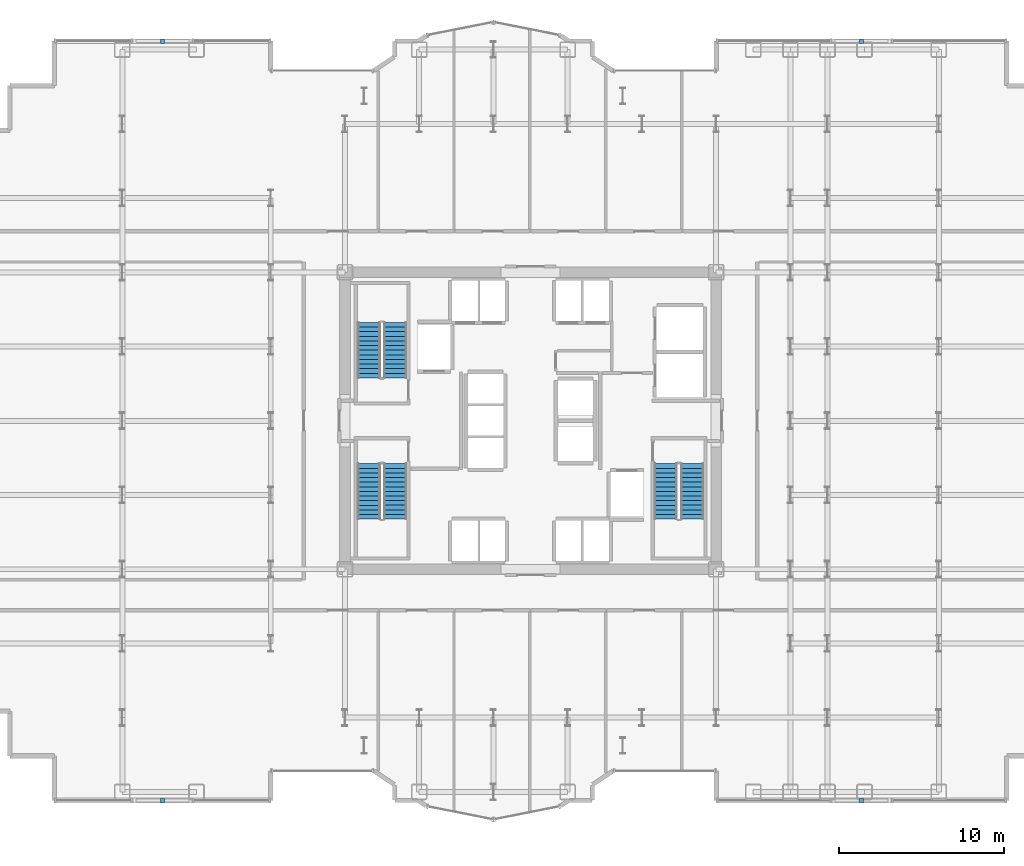
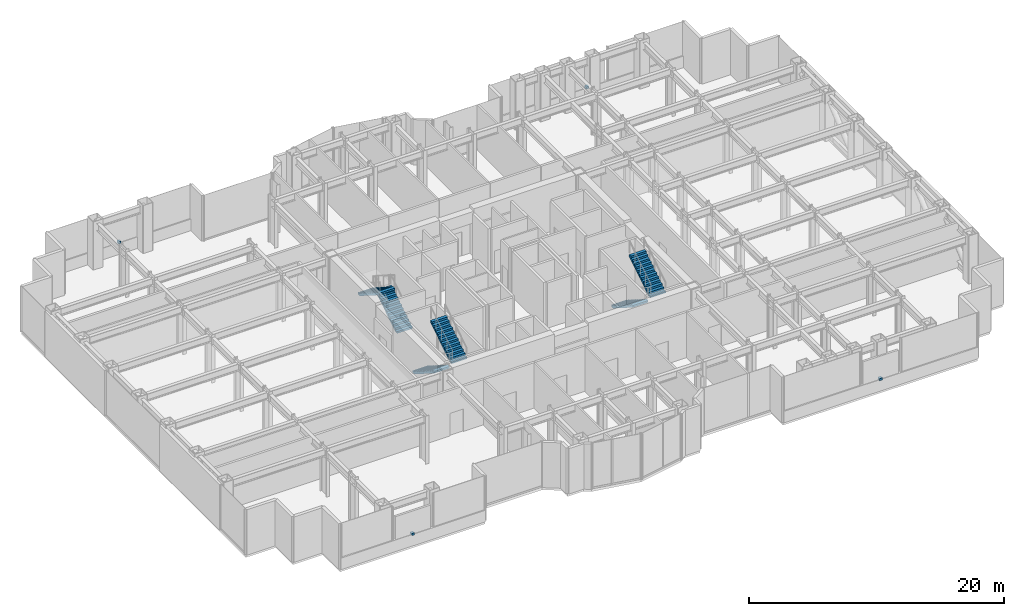
# One storey, part 26 of 30: 6 stair flights, 4 discrete accessories, 3 elements without a shape of their own.
"""IFC4 building model written with IfcOpenShell, lengths in metres."""

import ifcopenshell
import ifcopenshell.guid

model = None  # the IFC model being written
_history = None  # IfcOwnerHistory: only IFC2X3 demands one
_inside = {}  # id of a spatial element -> (the spatial element, [elements in it])
_under = {}  # id of a project, library or spatial element -> (it, [spatial elements below it])
_declared = {}  # id of a project -> (the project, [libraries it declares])
_typed = {}  # id of a type object -> (the type object, [elements of that type])
_made_of = {}  # id of a material, layer set ... -> (it, [elements and type objects made of it])


def new_model(schema):
    """Start an empty IFC model of exactly this schema.

    Asked for "IFC4X3", IfcOpenShell would pick the latest addendum, in which some entities
    have other attributes; the version numbers below select the first issue.
    IFC2X3 requires an IfcOwnerHistory on every rooted entity: one is made here for all.
    """
    global model, _history
    if schema == "IFC4X3":
        model = ifcopenshell.file(schema_version=(4, 3, 0, 0))
    else:
        model = ifcopenshell.file(schema=schema)
    _inside.clear()
    _under.clear()
    _declared.clear()
    _typed.clear()
    _made_of.clear()
    _history = None
    if model.schema == "IFC2X3":
        org = make("IfcOrganization", Name="unknown")
        user = make(
            "IfcPersonAndOrganization",
            ThePerson=make("IfcPerson", FamilyName="unknown"),
            TheOrganization=org,
        )
        app = make(
            "IfcApplication",
            ApplicationDeveloper=org,
            Version="unknown",
            ApplicationFullName="unknown",
            ApplicationIdentifier="unknown",
        )
        _history = make(
            "IfcOwnerHistory",
            OwningUser=user,
            OwningApplication=app,
            ChangeAction="ADDED",
            CreationDate=0,
        )
    return model


def make(cls, **values):
    """One entity of the class cls with the attributes given. An attribute that is None is left unset."""
    return model.create_entity(
        cls, **{name: value for name, value in values.items() if value is not None}
    )


def rooted(cls, **values):
    """An entity with a GlobalId (a new one), such as an element, a storey or a relation."""
    return make(cls, GlobalId=ifcopenshell.guid.new(), OwnerHistory=_history, **values)


def si_unit(unit_type, name, prefix=None):
    """IfcSIUnit, for example si_unit("LENGTHUNIT", "METRE", prefix="MILLI")."""
    return make("IfcSIUnit", UnitType=unit_type, Prefix=prefix, Name=name)


def assignment(units):
    """IfcUnitAssignment: the units of a project."""
    return None if units is None else make("IfcUnitAssignment", Units=units)


def point(xyz):
    """IfcCartesianPoint."""
    return None if xyz is None else make("IfcCartesianPoint", Coordinates=xyz)


def direction(xyz):
    """IfcDirection."""
    return None if xyz is None else make("IfcDirection", DirectionRatios=xyz)


def frame(location, z_axis=None, x_axis=None):
    """IfcAxis2Placement3D, a coordinate frame: its origin and axes. An axis left out is left unset."""
    return make(
        "IfcAxis2Placement3D",
        Location=point(location),
        Axis=direction(z_axis),
        RefDirection=direction(x_axis),
    )


def frame_2d(location, x_axis=None):
    """IfcAxis2Placement2D, a coordinate frame in the plane: its origin and x axis."""
    return make(
        "IfcAxis2Placement2D", Location=point(location), RefDirection=direction(x_axis)
    )


def origin():
    """The frame at (0, 0, 0) with its axes left unset."""
    return frame((0.0, 0.0, 0.0))


def origin_2d():
    """The frame at (0, 0) in the plane with its x axis left unset."""
    return frame_2d((0.0, 0.0))


def place(relative_to, where):
    """IfcLocalPlacement: puts the frame where relative to a parent placement (None: the world)."""
    return make(
        "IfcLocalPlacement", PlacementRelTo=relative_to, RelativePlacement=where
    )


def context(
    kind, dimensions, precision=None, world=None, true_north=None, identifier=None
):
    """IfcGeometricRepresentationContext, for example the 3D "Model" context."""
    return make(
        "IfcGeometricRepresentationContext",
        ContextIdentifier=identifier,
        ContextType=kind,
        CoordinateSpaceDimension=dimensions,
        Precision=precision,
        WorldCoordinateSystem=world,
        TrueNorth=true_north,
    )


def subcontext(parent, identifier, kind, view, scale=None):
    """IfcGeometricRepresentationSubContext, for example "Body" below "Model"."""
    return make(
        "IfcGeometricRepresentationSubContext",
        ContextIdentifier=identifier,
        ContextType=kind,
        ParentContext=parent,
        TargetScale=scale,
        TargetView=view,
    )


def project(units=None, contexts=None):
    """IfcProject with its units and contexts."""
    return rooted(
        "IfcProject",
        Name="project",
        RepresentationContexts=contexts,
        UnitsInContext=assignment(units),
    )


def spatial(cls, under=None, at=None, **own):
    """A site, building, storey or space (cls), placed at a placement, below another one or the project."""
    s = rooted(cls, ObjectPlacement=at, **own)
    if under is not None:
        _under.setdefault(under.id(), (under, []))[1].append(s)
    return s


def polyline(points):
    """IfcPolyline through the points."""
    return make("IfcPolyline", Points=[point(p) for p in points])


def profile(cls, at=None, kind="AREA", **sizes):
    """A parametric profile (cls). Its sizes go by their IFC names, for example OverallWidth=200.0."""
    return make(cls, ProfileType=kind, Position=at, **sizes)


def rectangle(**sizes):
    """IfcRectangleProfileDef."""
    return profile("IfcRectangleProfileDef", **sizes)


def outline(outer, holes=None, kind="AREA"):
    """IfcArbitraryClosedProfileDef: a profile drawn as a closed curve; with holes, ...WithVoids."""
    if holes is None:
        return make("IfcArbitraryClosedProfileDef", ProfileType=kind, OuterCurve=outer)
    return make(
        "IfcArbitraryProfileDefWithVoids",
        ProfileType=kind,
        OuterCurve=outer,
        InnerCurves=holes,
    )


def extrude(swept, where, along, depth):
    """IfcExtrudedAreaSolid: the profile swept, set in the frame where, extruded along a direction by depth."""
    return make(
        "IfcExtrudedAreaSolid",
        SweptArea=swept,
        Position=where,
        ExtrudedDirection=direction(along),
        Depth=depth,
    )


def shape(context_of_items, identifier, shape_type, items):
    """IfcShapeRepresentation: the items that make up one representation, for example the "Body"."""
    return make(
        "IfcShapeRepresentation",
        ContextOfItems=context_of_items,
        RepresentationIdentifier=identifier,
        RepresentationType=shape_type,
        Items=items,
    )


def source(mapping_origin, context_of_items, identifier, shape_type, items):
    """IfcRepresentationMap: a shape defined once, which mapped items show again and again."""
    return make(
        "IfcRepresentationMap",
        MappingOrigin=mapping_origin,
        MappedRepresentation=shape(context_of_items, identifier, shape_type, items),
    )


def transform(
    local_origin,
    x_axis=None,
    y_axis=None,
    z_axis=None,
    scale=None,
    scale2=None,
    scale3=None,
    uniform=True,
):
    """IfcCartesianTransformationOperator3D, or its non-uniform kind. x_axis, y_axis, z_axis: its Axis1, 2, 3."""
    if uniform:
        return make(
            "IfcCartesianTransformationOperator3D",
            Axis1=direction(x_axis),
            Axis2=direction(y_axis),
            LocalOrigin=point(local_origin),
            Scale=scale,
            Axis3=direction(z_axis),
        )
    return make(
        "IfcCartesianTransformationOperator3DnonUniform",
        Axis1=direction(x_axis),
        Axis2=direction(y_axis),
        LocalOrigin=point(local_origin),
        Scale=scale,
        Axis3=direction(z_axis),
        Scale2=scale2,
        Scale3=scale3,
    )


def mapped(mapping_source, mapping_target):
    """IfcMappedItem: shows the shape of a source again, moved by a transform."""
    return make(
        "IfcMappedItem", MappingSource=mapping_source, MappingTarget=mapping_target
    )


def material(Name=None, Category=None):
    """IfcMaterial."""
    return make("IfcMaterial", Name=Name, Category=Category)


def made_of(thing, what):
    """Note that an element or type object is made of a material, layer set ...; save() writes the relation."""
    if what is not None:
        _made_of.setdefault(what.id(), (what, []))[1].append(thing)
    return thing


def type_object(cls, material=None, **own):
    """A type object (cls), such as IfcWallType, which elements share."""
    return made_of(rooted(cls, **own), material)


def element(
    cls,
    number,
    at=None,
    inside=None,
    cuts=None,
    type_object=None,
    material=None,
    context=None,
    identifier="Body",
    shape_type=None,
    held_by="IfcProductDefinitionShape",
    body=None,
    shapes=None,
    **own,
):
    """One element of the class cls, such as IfcWall. Its Tag is "e" and its number.

    at: its placement. inside: the storey or other place that contains it. cuts: it is an
    opening in that element (IfcRelVoidsElement). A single representation is given by context,
    identifier, shape_type and body (its items); several are given by shapes. held_by: the class
    of the entity that holds the representations. save() writes the other relations.
    """
    e = rooted(cls, Tag="e%d" % number, ObjectPlacement=at, **own)
    if body is not None:
        shapes = [shape(context, identifier, shape_type, body)]
    if shapes is not None:
        e.Representation = make(held_by, Representations=shapes)
    if inside is not None:
        _inside.setdefault(inside.id(), (inside, []))[1].append(e)
    if cuts is not None:
        rooted(
            "IfcRelVoidsElement", RelatingBuildingElement=cuts, RelatedOpeningElement=e
        )
    if type_object is not None:
        _typed.setdefault(type_object.id(), (type_object, []))[1].append(e)
    return made_of(e, material)


def aggregate(whole, parts):
    """IfcRelAggregates: a whole, such as a stair, and the parts it consists of."""
    return rooted("IfcRelAggregates", RelatingObject=whole, RelatedObjects=parts)


def save(model, path):
    """Write the relations noted so far, then the file.

    IfcRelAggregates (storeys below a building ...), IfcRelContainedInSpatialStructure (elements
    in a storey), IfcRelDefinesByType, IfcRelAssociatesMaterial and IfcRelDeclares: one each for
    every whole, place, type object, material and project.
    """
    for whole, parts in _under.values():
        aggregate(whole, parts)
    for where, things in _inside.values():
        rooted(
            "IfcRelContainedInSpatialStructure",
            RelatedElements=things,
            RelatingStructure=where,
        )
    for kind, things in _typed.values():
        rooted("IfcRelDefinesByType", RelatedObjects=things, RelatingType=kind)
    for what, things in _made_of.values():
        rooted("IfcRelAssociatesMaterial", RelatedObjects=things, RelatingMaterial=what)
    for by, libraries in _declared.values():
        rooted("IfcRelDeclares", RelatingContext=by, RelatedDefinitions=libraries)
    model.write(path)


model = new_model("IFC4")

# Units and contexts
model_context = context("Model", 3, precision=1e-05, world=origin(), true_north=direction((0.0, 1.0)))
body_context = subcontext(model_context, "Body", "Model", "MODEL_VIEW")
ifc_project = project(units=[si_unit("LENGTHUNIT", "METRE"), si_unit("AREAUNIT", "SQUARE_METRE"), si_unit("VOLUMEUNIT", "CUBIC_METRE"), si_unit("PLANEANGLEUNIT", "RADIAN"), si_unit("MASSUNIT", "GRAM", prefix="KILO")], contexts=[model_context])

# Site, building, storey
site_placement = place(None, origin())
site = spatial("IfcSite", under=ifc_project, at=site_placement, CompositionType="ELEMENT")
building_placement = place(site_placement, origin())
building = spatial("IfcBuilding", under=site, at=building_placement, Name="Nefas-Gora Pilgrimage Tower", CompositionType="ELEMENT")
storey_placement = place(building_placement, frame((0.0, 0.0, 86.199951171875)))
storey = spatial("IfcBuildingStorey", under=building, at=storey_placement, Name="L20", CompositionType="ELEMENT", Elevation=86.199951171875)

# Stair, stair flights
ifc_material_1 = material(Name="Concrete C45/55", Category="concrete")
stair_type = type_object("IfcStairType", Name="STR-1400-R1769", PredefinedType="HALF_TURN_STAIR", material=ifc_material_1)
stair_1_placement = place(storey_placement, origin())
stair_1 = element("IfcStair", 1, at=stair_1_placement, inside=storey, type_object=stair_type, Name="L20 Pressurised Tower Exit Stair ST-01", PredefinedType="HALF_TURN_STAIR")
stair_flight_type = type_object("IfcStairFlightType", Name="STF-1400-R1769", PredefinedType="STRAIGHT", material=ifc_material_1)
shared_shape_1 = source(origin(), body_context, "Body", "SweptSolid", [
    extrude(outline(polyline([(0.0, 0.0), (0.0, 0.177001953125), (0.280029296875, 0.177001953125), (0.280029296875, 0.353759765625), (0.56005859375, 0.353759765625), (0.56005859375, 0.53076171875), (0.840087890625, 0.53076171875), (0.840087890625, 0.707763671875), (1.1201171875, 0.707763671875), (1.1201171875, 0.884521484375), (1.39990234375, 0.884521484375), (1.39990234375, 1.0615234375), (1.679931640625, 1.0615234375), (1.679931640625, 1.238525390625), (1.9599609375, 1.238525390625), (1.9599609375, 1.415283203125), (2.239990234375, 1.415283203125), (2.239990234375, 1.59228515625), (2.52001953125, 1.59228515625), (2.52001953125, 1.769287109375), (2.800048828125, 1.769287109375), (2.800048828125, 1.946044921875), (3.080078125, 1.946044921875), (3.080078125, 2.123046875), (3.360107421875, 2.123046875), (3.360107421875, 2.300048828125), (3.360107421875, 1.94580078125), (0.280517578125, 0.0), (0.0, 0.0)])), frame((0.0, 0.699951171875, 0.0), z_axis=(0.0, -1.0, 0.0), x_axis=(1.0, 0.0, 0.0)), (0.0, 0.0, 1.0), 1.39990234375),
])
stair_flight_1_placement = place(storey_placement, frame((-8.199951171875, 2.60009765625, 0.0), z_axis=(0.0, 0.0, 1.0), x_axis=(0.0, 1.0, 0.0)))
stair_flight_1 = element("IfcStairFlight", 2, at=stair_flight_1_placement, type_object=stair_flight_type, Name="ST-01 flight 1", NumberOfRisers=13, NumberOfTreads=12, PredefinedType="STRAIGHT", RiserHeight=0.176923077, TreadLength=0.28, context=body_context, shape_type="MappedRepresentation", body=[
    mapped(shared_shape_1, transform((0.0, 0.0, 0.0), x_axis=(1.0, 0.0, 0.0), y_axis=(0.0, 1.0, 0.0), z_axis=(0.0, 0.0, 1.0), scale=1.0)),
])
stair_flight_2_placement = place(storey_placement, frame((-9.800048828125, 5.9599609375, 2.300048828125), z_axis=(0.0, 0.0, 1.0), x_axis=(0.0, -1.0, 0.0)))
stair_flight_2 = element("IfcStairFlight", 3, at=stair_flight_2_placement, type_object=stair_flight_type, Name="ST-01 flight 2", NumberOfRisers=13, NumberOfTreads=12, PredefinedType="STRAIGHT", RiserHeight=0.176923077, TreadLength=0.28, context=body_context, shape_type="MappedRepresentation", body=[
    mapped(shared_shape_1, transform((0.0, 0.0, 0.0), x_axis=(1.0, 0.0, 0.0), y_axis=(0.0, 1.0, 0.0), z_axis=(0.0, 0.0, 1.0), scale=1.0)),
])
aggregate(stair_1, [stair_flight_1, stair_flight_2])

stair_2_placement = place(storey_placement, origin())
stair_2 = element("IfcStair", 4, at=stair_2_placement, inside=storey, type_object=stair_type, Name="L20 Pressurised Tower Exit Stair ST-02", PredefinedType="HALF_TURN_STAIR")
stair_flight_3_placement = place(storey_placement, frame((8.199951171875, -2.60009765625, 0.0), z_axis=(0.0, 0.0, 1.0), x_axis=(0.0, -1.0, 0.0)))
stair_flight_3 = element("IfcStairFlight", 5, at=stair_flight_3_placement, type_object=stair_flight_type, Name="ST-02 flight 1", NumberOfRisers=13, NumberOfTreads=12, PredefinedType="STRAIGHT", RiserHeight=0.176923077, TreadLength=0.28, context=body_context, shape_type="MappedRepresentation", body=[
    mapped(shared_shape_1, transform((0.0, 0.0, 0.0), x_axis=(1.0, 0.0, 0.0), y_axis=(0.0, 1.0, 0.0), z_axis=(0.0, 0.0, 1.0), scale=1.0)),
])
stair_flight_4_placement = place(storey_placement, frame((9.800048828125, -5.9599609375, 2.300048828125), z_axis=(0.0, 0.0, 1.0), x_axis=(0.0, 1.0, 0.0)))
stair_flight_4 = element("IfcStairFlight", 6, at=stair_flight_4_placement, type_object=stair_flight_type, Name="ST-02 flight 2", NumberOfRisers=13, NumberOfTreads=12, PredefinedType="STRAIGHT", RiserHeight=0.176923077, TreadLength=0.28, context=body_context, shape_type="MappedRepresentation", body=[
    mapped(shared_shape_1, transform((0.0, 0.0, 0.0), x_axis=(1.0, 0.0, 0.0), y_axis=(0.0, 1.0, 0.0), z_axis=(0.0, 0.0, 1.0), scale=1.0)),
])
aggregate(stair_2, [stair_flight_3, stair_flight_4])

stair_3_placement = place(storey_placement, origin())
stair_3 = element("IfcStair", 7, at=stair_3_placement, inside=storey, type_object=stair_type, Name="L20 Pressurised Tower Exit Stair ST-03", PredefinedType="HALF_TURN_STAIR")
stair_flight_5_placement = place(storey_placement, frame((-9.800048828125, -2.60009765625, 0.0), z_axis=(0.0, 0.0, 1.0), x_axis=(0.0, -1.0, 0.0)))
stair_flight_5 = element("IfcStairFlight", 8, at=stair_flight_5_placement, type_object=stair_flight_type, Name="ST-03 flight 1", NumberOfRisers=13, NumberOfTreads=12, PredefinedType="STRAIGHT", RiserHeight=0.176923077, TreadLength=0.28, context=body_context, shape_type="MappedRepresentation", body=[
    mapped(shared_shape_1, transform((0.0, 0.0, 0.0), x_axis=(1.0, 0.0, 0.0), y_axis=(0.0, 1.0, 0.0), z_axis=(0.0, 0.0, 1.0), scale=1.0)),
])
stair_flight_6_placement = place(storey_placement, frame((-8.199951171875, -5.9599609375, 2.300048828125), z_axis=(0.0, 0.0, 1.0), x_axis=(0.0, 1.0, 0.0)))
stair_flight_6 = element("IfcStairFlight", 9, at=stair_flight_6_placement, type_object=stair_flight_type, Name="ST-03 flight 2", NumberOfRisers=13, NumberOfTreads=12, PredefinedType="STRAIGHT", RiserHeight=0.176923077, TreadLength=0.28, context=body_context, shape_type="MappedRepresentation", body=[
    mapped(shared_shape_1, transform((0.0, 0.0, 0.0), x_axis=(1.0, 0.0, 0.0), y_axis=(0.0, 1.0, 0.0), z_axis=(0.0, 0.0, 1.0), scale=1.0)),
])
aggregate(stair_3, [stair_flight_5, stair_flight_6])

# Discrete accessories
ifc_material_2 = material(Name="Hot-dip galvanised steel S355", Category="steel")
discrete_accessory_type = type_object("IfcDiscreteAccessoryType", Name="ACC-BRACKET-STL", PredefinedType="BRACKET", material=ifc_material_2)
shared_shape_2 = source(origin(), body_context, "Body", "SweptSolid", [
    extrude(rectangle(XDim=0.239990234375, YDim=0.280029296875, at=origin_2d()), origin(), (0.0, 0.0, 1.0), 0.199951171875),
])
for number, where, z_axis, x_axis, name in (
    (10, (20.06005859375, -23.02001953125, 1.0), (0.0, 0.0, 1.0), (1.0, 0.0, 0.0), "L20 Louvre Support Bracket 6"),
    (11, (20.06005859375, 23.02001953125, 1.0), (0.0, 0.0, 1.0), (1.0, 0.0, 0.0), "L20 Louvre Support Bracket 15"),
    (12, (-22.31005859375, 23.02001953125, 1.0), (0.0, 0.0, 1.0), (1.0, 0.0, 0.0), "L20 Louvre Support Bracket 26"),
    (13, (-22.31005859375, -23.02001953125, 1.0), (0.0, 0.0, 1.0), (1.0, 0.0, 0.0), "L20 Louvre Support Bracket 35"),
):
    element("IfcDiscreteAccessory", number, at=place(storey_placement, frame(where, z_axis=z_axis, x_axis=x_axis)), inside=storey, type_object=discrete_accessory_type, Name=name, PredefinedType="BRACKET", context=body_context, shape_type="MappedRepresentation", body=[
        mapped(shared_shape_2, transform((0.0, 0.0, 0.0), x_axis=(1.0, 0.0, 0.0), y_axis=(0.0, 1.0, 0.0), z_axis=(0.0, 0.0, 1.0), scale=1.0)),
    ])

save(model, "model.ifc")
